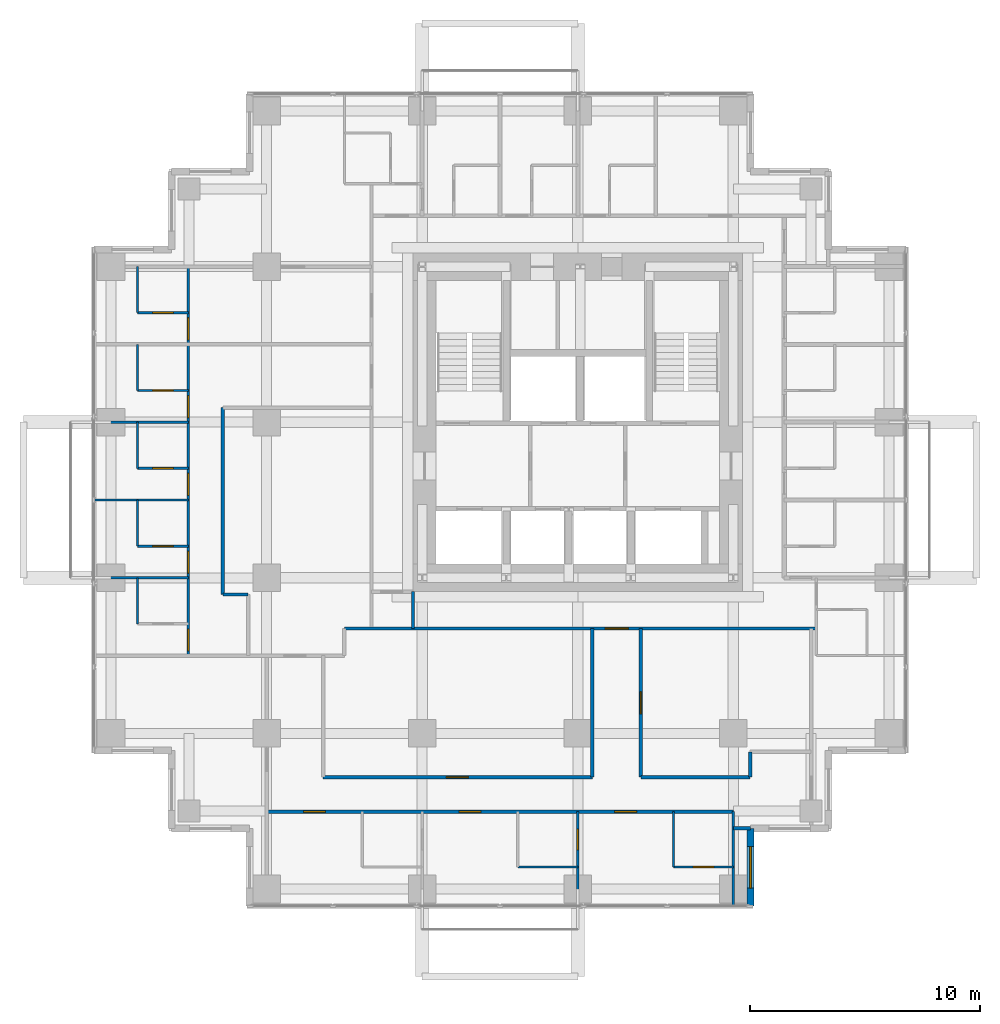
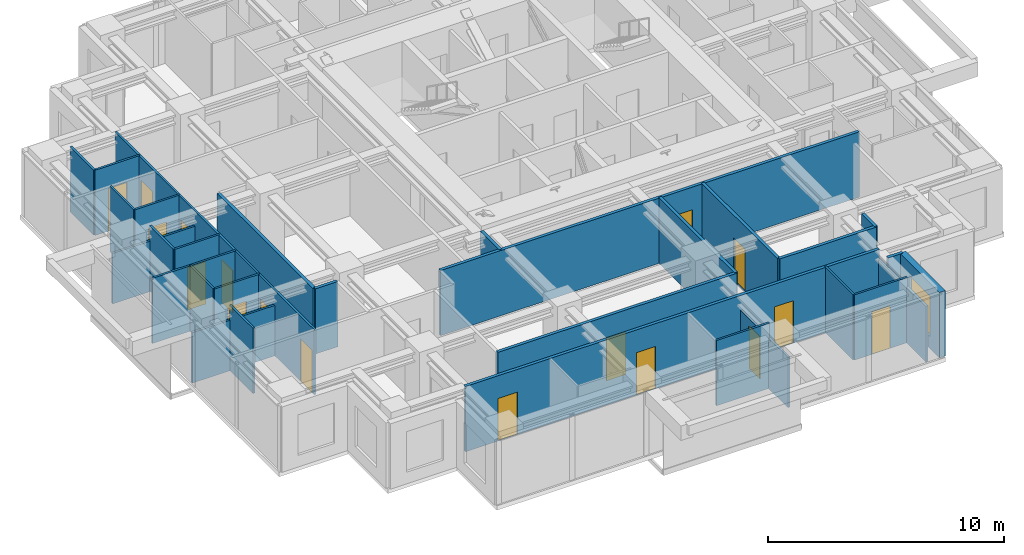
# One storey, part 6 of 10: 30 walls, 17 doors, 1 window, 18 openings.
"""IFC4 building model written with IfcOpenShell, lengths in metres."""

from ifc_helpers import new_model, si_unit, direction, frame, frame_2d, origin, place, context, subcontext, project, spatial, rectangle, extrude, material, layer, layer_set, type_object, element, fill, save


model = new_model("IFC4")

# Units and contexts
model_context = context("Model", 3, precision=1e-05, world=origin(), true_north=direction((0.0, 1.0)))
body_context = subcontext(model_context, "Body", "Model", "MODEL_VIEW")
ifc_project = project(units=[si_unit("LENGTHUNIT", "METRE"), si_unit("AREAUNIT", "SQUARE_METRE"), si_unit("VOLUMEUNIT", "CUBIC_METRE"), si_unit("PLANEANGLEUNIT", "RADIAN"), si_unit("MASSUNIT", "GRAM", prefix="KILO")], contexts=[model_context])

# Site, building, storey
site_placement = place(None, origin())
site = spatial("IfcSite", under=ifc_project, at=site_placement, CompositionType="ELEMENT")
building_placement = place(site_placement, origin())
building = spatial("IfcBuilding", under=site, at=building_placement, Name="Nyansa Garden Tower", CompositionType="ELEMENT")
storey_placement = place(building_placement, frame((0.0, 0.0, 181.800048828125)))
storey = spatial("IfcBuildingStorey", under=building, at=storey_placement, Name="L49", CompositionType="ELEMENT", Elevation=181.800048828125)

# Walls
ifc_material_1 = material(Name="Blockwork, plastered both sides", Category="masonry")
ifc_layer_1 = layer(ifc_material_1, 0.14990234375)
ifc_layer_set_1 = layer_set([ifc_layer_1], Name="Partition PW150")
wall_type_1 = type_object("IfcWallType", Name="Partition PW150", PredefinedType="PARTITIONING", material=ifc_layer_set_1)
wall_1_placement = place(storey_placement, frame((4.85009765625, 12.77490234375, 0.0), z_axis=(0.0, 0.0, 1.0), x_axis=(0.0, 1.0, 0.0)))
element("IfcWall", 1, at=wall_1_placement, inside=storey, type_object=wall_type_1, Name="Partition", PredefinedType="PARTITIONING", context=body_context, shape_type="SweptSolid", body=[
    extrude(rectangle(XDim=8.112548828125, YDim=0.14990234375, at=frame_2d((4.05615234375, 0.0))), origin(), (0.0, 0.0, 1.0), 3.375),
])
wall_2_placement = place(storey_placement, frame((4.85009765625, 12.77490234375, 0.0), z_axis=(0.0, 0.0, 1.0), x_axis=(1.0, 0.0, 0.0)))
element("IfcWall", 2, at=wall_2_placement, inside=storey, type_object=wall_type_1, Name="Partition", PredefinedType="PARTITIONING", context=body_context, shape_type="SweptSolid", body=[
    extrude(rectangle(XDim=1.099853515625, YDim=0.14990234375, at=frame_2d((0.5498046875, 0.0))), origin(), (0.0, 0.0, 1.0), 3.375),
])

# Wall, openings, doors
wall_3_placement = place(storey_placement, frame((6.75, 3.35009765625, 0.0), z_axis=(0.0, 0.0, 1.0), x_axis=(1.0, 0.0, 0.0)))
wall_3 = element("IfcWall", 3, at=wall_3_placement, inside=storey, type_object=wall_type_1, Name="Partition", PredefinedType="PARTITIONING", context=body_context, shape_type="SweptSolid", body=[
    extrude(rectangle(XDim=20.25, YDim=0.14990234375, at=frame_2d((10.125, 0.0))), origin(), (0.0, 0.0, 1.0), 3.375),
])
opening_1_placement = place(wall_3_placement, frame((15.10009765625, 0.0, 0.0)))
opening_1 = element("IfcOpeningElement", 4, at=opening_1_placement, cuts=wall_3, Name="Opening D14", PredefinedType="OPENING", context=body_context, shape_type="SweptSolid", body=[
    extrude(rectangle(XDim=0.949951171875, YDim=2.199951171875, at=frame_2d((0.47509765625, 1.10009765625))), frame((0.0, 0.0849609375, 0.0), z_axis=(0.0, -1.0, 0.0), x_axis=(1.0, 0.0, 0.0)), (0.0, 0.0, 1.0), 0.169921875),
])
opening_2_placement = place(wall_3_placement, frame((8.35009765625, 0.0, 0.0)))
opening_2 = element("IfcOpeningElement", 5, at=opening_2_placement, cuts=wall_3, Name="Opening D14", PredefinedType="OPENING", context=body_context, shape_type="SweptSolid", body=[
    extrude(rectangle(XDim=0.949951171875, YDim=2.199951171875, at=frame_2d((0.47509765625, 1.10009765625))), frame((0.0, 0.0849609375, 0.0), z_axis=(0.0, -1.0, 0.0), x_axis=(1.0, 0.0, 0.0)), (0.0, 0.0, 1.0), 0.169921875),
])
opening_3_placement = place(wall_3_placement, frame((1.60009765625, 0.0, 0.0)))
opening_3 = element("IfcOpeningElement", 6, at=opening_3_placement, cuts=wall_3, Name="Opening D14", PredefinedType="OPENING", context=body_context, shape_type="SweptSolid", body=[
    extrude(rectangle(XDim=0.949951171875, YDim=2.199951171875, at=frame_2d((0.47509765625, 1.10009765625))), frame((0.0, 0.0849609375, 0.0), z_axis=(0.0, -1.0, 0.0), x_axis=(1.0, 0.0, 0.0)), (0.0, 0.0, 1.0), 0.169921875),
])
ifc_material_2 = material(Name="Timber flush door, 60 minute fire resisting, self-closing", Category="wood")
door_type_1 = type_object("IfcDoorType", Name="Studio entrance door D14 950x2200", OperationType="SINGLE_SWING_LEFT", PredefinedType="DOOR", material=ifc_material_2)
door_1_placement = place(opening_1_placement, origin())
door_1 = element("IfcDoor", 7, at=door_1_placement, inside=storey, type_object=door_type_1, Name="Door L49-018", OperationType="SINGLE_SWING_LEFT", OverallHeight=2.199951171875, OverallWidth=0.949951171875, PredefinedType="DOOR", context=body_context, shape_type="SweptSolid", body=[
    extrude(rectangle(XDim=0.949951171875, YDim=2.199951171875, at=frame_2d((0.47509765625, 1.10009765625))), frame((0.0, 0.02490234375, 0.0), z_axis=(0.0, -1.0, 0.0), x_axis=(1.0, 0.0, 0.0)), (0.0, 0.0, 1.0), 0.050048828125),
])
fill(opening_1, door_1)
door_2_placement = place(opening_2_placement, origin())
door_2 = element("IfcDoor", 8, at=door_2_placement, inside=storey, type_object=door_type_1, Name="Door L49-020", OperationType="SINGLE_SWING_LEFT", OverallHeight=2.199951171875, OverallWidth=0.949951171875, PredefinedType="DOOR", context=body_context, shape_type="SweptSolid", body=[
    extrude(rectangle(XDim=0.949951171875, YDim=2.199951171875, at=frame_2d((0.47509765625, 1.10009765625))), frame((0.0, 0.02490234375, 0.0), z_axis=(0.0, -1.0, 0.0), x_axis=(1.0, 0.0, 0.0)), (0.0, 0.0, 1.0), 0.050048828125),
])
fill(opening_2, door_2)
door_3_placement = place(opening_3_placement, origin())
door_3 = element("IfcDoor", 9, at=door_3_placement, inside=storey, type_object=door_type_1, Name="Door L49-022", OperationType="SINGLE_SWING_LEFT", OverallHeight=2.199951171875, OverallWidth=0.949951171875, PredefinedType="DOOR", context=body_context, shape_type="SweptSolid", body=[
    extrude(rectangle(XDim=0.949951171875, YDim=2.199951171875, at=frame_2d((0.47509765625, 1.10009765625))), frame((0.0, 0.02490234375, 0.0), z_axis=(0.0, -1.0, 0.0), x_axis=(1.0, 0.0, 0.0)), (0.0, 0.0, 1.0), 0.050048828125),
])
fill(opening_3, door_3)

# Wall, opening, door
wall_4_placement = place(storey_placement, frame((9.199951171875, 4.85009765625, 0.0), z_axis=(0.0, 0.0, 1.0), x_axis=(1.0, 0.0, 0.0)))
wall_4 = element("IfcWall", 10, at=wall_4_placement, inside=storey, type_object=wall_type_1, Name="Partition", PredefinedType="PARTITIONING", context=body_context, shape_type="SweptSolid", body=[
    extrude(rectangle(XDim=11.6875, YDim=0.14990234375, at=frame_2d((5.84375, 0.0))), origin(), (0.0, 0.0, 1.0), 3.375),
])
opening_4_placement = place(wall_4_placement, frame((5.35009765625, 0.0, 0.0)))
opening_4 = element("IfcOpeningElement", 11, at=opening_4_placement, cuts=wall_4, Name="Opening D01", PredefinedType="OPENING", context=body_context, shape_type="SweptSolid", body=[
    extrude(rectangle(XDim=0.949951171875, YDim=2.199951171875, at=frame_2d((0.47509765625, 1.10009765625))), frame((0.0, 0.0849609375, 0.0), z_axis=(0.0, -1.0, 0.0), x_axis=(1.0, 0.0, 0.0)), (0.0, 0.0, 1.0), 0.169921875),
])
ifc_material_3 = material(Name="Timber flush door, 30 minute fire resisting", Category="wood")
door_type_2 = type_object("IfcDoorType", Name="Bedroom door D01 950x2200", OperationType="SINGLE_SWING_LEFT", PredefinedType="DOOR", material=ifc_material_3)
door_4_placement = place(opening_4_placement, origin())
door_4 = element("IfcDoor", 12, at=door_4_placement, inside=storey, type_object=door_type_2, Name="Door L49-025", OperationType="SINGLE_SWING_LEFT", OverallHeight=2.199951171875, OverallWidth=0.949951171875, PredefinedType="DOOR", context=body_context, shape_type="SweptSolid", body=[
    extrude(rectangle(XDim=0.949951171875, YDim=2.199951171875, at=frame_2d((0.47509765625, 1.10009765625))), frame((0.0, 0.02490234375, 0.0), z_axis=(0.0, -1.0, 0.0), x_axis=(1.0, 0.0, 0.0)), (0.0, 0.0, 1.0), 0.050048828125),
])
fill(opening_4, door_4)

wall_5_placement = place(storey_placement, frame((10.125, 11.300048828125, 0.0), z_axis=(0.0, 0.0, 1.0), x_axis=(1.0, 0.0, 0.0)))
wall_5 = element("IfcWall", 13, at=wall_5_placement, inside=storey, type_object=wall_type_1, Name="Partition", PredefinedType="PARTITIONING", context=body_context, shape_type="SweptSolid", body=[
    extrude(rectangle(XDim=20.47509765625, YDim=0.14990234375, at=frame_2d((10.237548828125, 0.0))), origin(), (0.0, 0.0, 1.0), 3.375),
])
opening_5_placement = place(wall_5_placement, frame((11.3125, 0.0, 0.0)))
opening_5 = element("IfcOpeningElement", 14, at=opening_5_placement, cuts=wall_5, Name="Opening D03", PredefinedType="OPENING", context=body_context, shape_type="SweptSolid", body=[
    extrude(rectangle(XDim=1.0, YDim=2.199951171875, at=frame_2d((0.5, 1.10009765625))), frame((0.0, 0.0849609375, 0.0), z_axis=(0.0, -1.0, 0.0), x_axis=(1.0, 0.0, 0.0)), (0.0, 0.0, 1.0), 0.169921875),
])
ifc_material_4 = material(Name="Timber flush door, 60 minute fire resisting", Category="wood")
door_type_3 = type_object("IfcDoorType", Name="Cluster entrance door D03 1000x2200", OperationType="SINGLE_SWING_LEFT", PredefinedType="DOOR", material=ifc_material_4)
door_5_placement = place(opening_5_placement, origin())
door_5 = element("IfcDoor", 15, at=door_5_placement, inside=storey, type_object=door_type_3, Name="Door L49-024", OperationType="SINGLE_SWING_LEFT", OverallHeight=2.199951171875, OverallWidth=1.0, PredefinedType="DOOR", context=body_context, shape_type="SweptSolid", body=[
    extrude(rectangle(XDim=1.0, YDim=2.199951171875, at=frame_2d((0.5, 1.10009765625))), frame((0.0, 0.02490234375, 0.0), z_axis=(0.0, -1.0, 0.0), x_axis=(1.0, 0.0, 0.0)), (0.0, 0.0, 1.0), 0.050048828125),
])
fill(opening_5, door_5)

# Walls
wall_6_placement = place(storey_placement, frame((13.10009765625, 11.300048828125, 0.0), z_axis=(0.0, 0.0, 1.0), x_axis=(0.0, 1.0, 0.0)))
element("IfcWall", 16, at=wall_6_placement, inside=storey, type_object=wall_type_1, Name="Partition", PredefinedType="PARTITIONING", context=body_context, shape_type="SweptSolid", body=[
    extrude(rectangle(XDim=1.599853515625, YDim=0.14990234375, at=frame_2d((0.7998046875, 0.0))), origin(), (0.0, 0.0, 1.0), 3.375),
])
wall_7_placement = place(storey_placement, frame((20.886962890625, 4.85009765625, 0.0), z_axis=(0.0, 0.0, 1.0), x_axis=(0.0, 1.0, 0.0)))
element("IfcWall", 17, at=wall_7_placement, inside=storey, type_object=wall_type_1, Name="Partition", PredefinedType="PARTITIONING", context=body_context, shape_type="SweptSolid", body=[
    extrude(rectangle(XDim=6.449951171875, YDim=0.14990234375, at=frame_2d((3.22509765625, 0.0))), origin(), (0.0, 0.0, 1.0), 3.375),
])
wall_8_placement = place(storey_placement, frame((22.987548828125, 4.85009765625, 0.0), z_axis=(0.0, 0.0, 1.0), x_axis=(1.0, 0.0, 0.0)))
element("IfcWall", 18, at=wall_8_placement, inside=storey, type_object=wall_type_1, Name="Partition", PredefinedType="PARTITIONING", context=body_context, shape_type="SweptSolid", body=[
    extrude(rectangle(XDim=4.737548828125, YDim=0.14990234375, at=frame_2d((2.36865234375, 0.0))), origin(), (0.0, 0.0, 1.0), 3.375),
])

# Wall, opening, door
wall_9_placement = place(storey_placement, frame((22.988037109375, 4.85009765625, 0.0), z_axis=(0.0, 0.0, 1.0), x_axis=(0.0, 1.0, 0.0)))
wall_9 = element("IfcWall", 19, at=wall_9_placement, inside=storey, type_object=wall_type_1, Name="Partition", PredefinedType="PARTITIONING", context=body_context, shape_type="SweptSolid", body=[
    extrude(rectangle(XDim=6.449951171875, YDim=0.14990234375, at=frame_2d((3.22509765625, 0.0))), origin(), (0.0, 0.0, 1.0), 3.375),
])
opening_6_placement = place(wall_9_placement, frame((2.75, 0.0, 0.0)))
opening_6 = element("IfcOpeningElement", 20, at=opening_6_placement, cuts=wall_9, Name="Opening D01", PredefinedType="OPENING", context=body_context, shape_type="SweptSolid", body=[
    extrude(rectangle(XDim=0.949951171875, YDim=2.199951171875, at=frame_2d((0.47509765625, 1.10009765625))), frame((0.0, 0.0849609375, 0.0), z_axis=(0.0, -1.0, 0.0), x_axis=(1.0, 0.0, 0.0)), (0.0, 0.0, 1.0), 0.169921875),
])
door_6_placement = place(opening_6_placement, origin())
door_6 = element("IfcDoor", 21, at=door_6_placement, inside=storey, type_object=door_type_2, Name="Door L49-026", OperationType="SINGLE_SWING_LEFT", OverallHeight=2.199951171875, OverallWidth=0.949951171875, PredefinedType="DOOR", context=body_context, shape_type="SweptSolid", body=[
    extrude(rectangle(XDim=0.949951171875, YDim=2.199951171875, at=frame_2d((0.47509765625, 1.10009765625))), frame((0.0, 0.02490234375, 0.0), z_axis=(0.0, -1.0, 0.0), x_axis=(1.0, 0.0, 0.0)), (0.0, 0.0, 1.0), 0.050048828125),
])
fill(opening_6, door_6)

# Walls
wall_10_placement = place(storey_placement, frame((27.0, 2.625, 0.0), z_axis=(0.0, 0.0, 1.0), x_axis=(1.0, 0.0, 0.0)))
element("IfcWall", 22, at=wall_10_placement, inside=storey, type_object=wall_type_1, Name="Partition", PredefinedType="PARTITIONING", context=body_context, shape_type="SweptSolid", body=[
    extrude(rectangle(XDim=0.73388671875, YDim=0.14990234375, at=frame_2d((0.366943359375, 0.0))), origin(), (0.0, 0.0, 1.0), 3.375),
])
wall_11_placement = place(storey_placement, frame((27.72509765625, 4.85009765625, 0.0), z_axis=(0.0, 0.0, 1.0), x_axis=(0.0, 1.0, 0.0)))
element("IfcWall", 23, at=wall_11_placement, inside=storey, type_object=wall_type_1, Name="Partition", PredefinedType="PARTITIONING", context=body_context, shape_type="SweptSolid", body=[
    extrude(rectangle(XDim=1.099853515625, YDim=0.14990234375, at=frame_2d((0.5498046875, 0.0))), origin(), (0.0, 0.0, 1.0), 3.375),
])

# Wall, opening, window
ifc_material_5 = material(Name="Turquoise glazed tile on concrete blockwork", Category="masonry")
ifc_layer_2 = layer(ifc_material_5, 0.300048828125)
ifc_layer_set_2 = layer_set([ifc_layer_2], Name="Tiled corner wall TW300")
wall_type_2 = type_object("IfcWallType", Name="Tiled corner wall TW300", PredefinedType="SOLIDWALL", material=ifc_layer_set_2)
wall_12_placement = place(storey_placement, frame((27.75, -0.75, 0.0), z_axis=(0.0, 0.0, 1.0), x_axis=(0.0, 1.0, 0.0)))
wall_12 = element("IfcWall", 24, at=wall_12_placement, inside=storey, type_object=wall_type_2, Name="Tiled corner wall L49", PredefinedType="SOLIDWALL", context=body_context, shape_type="SweptSolid", body=[
    extrude(rectangle(XDim=3.375, YDim=0.300048828125, at=frame_2d((1.6875, 0.0))), origin(), (0.0, 0.0, 1.0), 3.375),
])
opening_7_placement = place(wall_12_placement, frame((0.78759765625, 0.0, 0.60009765625)))
opening_7 = element("IfcOpeningElement", 25, at=opening_7_placement, cuts=wall_12, Name="Opening W2", PredefinedType="OPENING", context=body_context, shape_type="SweptSolid", body=[
    extrude(rectangle(XDim=1.800048828125, YDim=2.10009765625, at=frame_2d((0.89990234375, 1.050048828125))), frame((0.0, 0.159912109375, 0.0), z_axis=(0.0, -1.0, 0.0), x_axis=(1.0, 0.0, 0.0)), (0.0, 0.0, 1.0), 0.320068359375),
])
ifc_material_6 = material(Name="Black aluminium frame, dark tinted double glazing", Category="aluminium")
window_type = type_object("IfcWindowType", Name="Window W2 1800x2100", PartitioningType="SINGLE_PANEL", PredefinedType="WINDOW", material=ifc_material_6)
window_placement = place(opening_7_placement, origin())
window = element("IfcWindow", 26, at=window_placement, inside=storey, type_object=window_type, Name="Corner window L49", OverallHeight=2.10009765625, OverallWidth=1.800048828125, PartitioningType="SINGLE_PANEL", PredefinedType="WINDOW", context=body_context, shape_type="SweptSolid", body=[
    extrude(rectangle(XDim=1.800048828125, YDim=2.10009765625, at=frame_2d((0.89990234375, 1.050048828125))), frame((0.0, 0.030029296875, 0.0), z_axis=(0.0, -1.0, 0.0), x_axis=(1.0, 0.0, 0.0)), (0.0, 0.0, 1.0), 0.06005859375),
])
fill(opening_7, window)

# Walls
ifc_material_7 = material(Name="Moisture resistant board on steel studs, tiled", Category="steel")
ifc_layer_3 = layer(ifc_material_7, 0.10009765625)
ifc_layer_set_3 = layer_set([ifc_layer_3], Name="Wet wall PW100")
wall_type_3 = type_object("IfcWallType", Name="Wet wall PW100", PredefinedType="PARTITIONING", material=ifc_layer_set_3)
wall_13_placement = place(storey_placement, frame((-0.73388671875, 13.5, 0.0), z_axis=(0.0, 0.0, 1.0), x_axis=(1.0, 0.0, 0.0)))
element("IfcWall", 27, at=wall_13_placement, inside=storey, type_object=wall_type_3, Name="Wet wall", PredefinedType="PARTITIONING", context=body_context, shape_type="SweptSolid", body=[
    extrude(rectangle(XDim=4.083984375, YDim=0.10009765625, at=frame_2d((2.0419921875, 0.0))), origin(), (0.0, 0.0, 1.0), 2.60986328125),
])
wall_14_placement = place(storey_placement, frame((-0.73388671875, 16.875, 0.0), z_axis=(0.0, 0.0, 1.0), x_axis=(1.0, 0.0, 0.0)))
element("IfcWall", 28, at=wall_14_placement, inside=storey, type_object=wall_type_3, Name="Wet wall", PredefinedType="PARTITIONING", context=body_context, shape_type="SweptSolid", body=[
    extrude(rectangle(XDim=4.083984375, YDim=0.10009765625, at=frame_2d((2.0419921875, 0.0))), origin(), (0.0, 0.0, 1.0), 3.375),
])
wall_15_placement = place(storey_placement, frame((-0.73388671875, 20.25, 0.0), z_axis=(0.0, 0.0, 1.0), x_axis=(1.0, 0.0, 0.0)))
element("IfcWall", 29, at=wall_15_placement, inside=storey, type_object=wall_type_3, Name="Wet wall", PredefinedType="PARTITIONING", context=body_context, shape_type="SweptSolid", body=[
    extrude(rectangle(XDim=4.083984375, YDim=0.10009765625, at=frame_2d((2.0419921875, 0.0))), origin(), (0.0, 0.0, 1.0), 2.60986328125),
])
for number, where, z_axis, x_axis, name in (
    (30, (1.14990234375, 11.5, 0.0), (0.0, 0.0, 1.0), (0.0, 1.0, 0.0), "Wet wall"),
    (31, (1.14990234375, 14.875, 0.0), (0.0, 0.0, 1.0), (0.0, 1.0, 0.0), "Wet wall"),
):
    element("IfcWall", number, at=place(storey_placement, frame(where, z_axis=z_axis, x_axis=x_axis)), inside=storey, type_object=wall_type_3, Name=name, PredefinedType="PARTITIONING", context=body_context, shape_type="SweptSolid", body=[
        extrude(rectangle(XDim=2.0, YDim=0.10009765625, at=frame_2d((1.0, 0.0))), origin(), (0.0, 0.0, 1.0), 3.375),
    ])

# Wall, opening, door
wall_16_placement = place(storey_placement, frame((1.14990234375, 14.875, 0.0), z_axis=(0.0, 0.0, 1.0), x_axis=(1.0, 0.0, 0.0)))
wall_16 = element("IfcWall", 32, at=wall_16_placement, inside=storey, type_object=wall_type_3, Name="Wet wall", PredefinedType="PARTITIONING", context=body_context, shape_type="SweptSolid", body=[
    extrude(rectangle(XDim=2.2001953125, YDim=0.10009765625, at=frame_2d((1.10009765625, 0.0))), origin(), (0.0, 0.0, 1.0), 3.375),
])
opening_8_placement = place(wall_16_placement, frame((0.64990234375, 0.0, 0.0)))
opening_8 = element("IfcOpeningElement", 33, at=opening_8_placement, cuts=wall_16, Name="Opening D02", PredefinedType="OPENING", context=body_context, shape_type="SweptSolid", body=[
    extrude(rectangle(XDim=0.89990234375, YDim=2.199951171875, at=frame_2d((0.449951171875, 1.10009765625))), frame((0.0, 0.06005859375, 0.0), z_axis=(0.0, -1.0, 0.0), x_axis=(1.0, 0.0, 0.0)), (0.0, 0.0, 1.0), 0.1201171875),
])
ifc_material_8 = material(Name="Timber flush door", Category="wood")
door_type_4 = type_object("IfcDoorType", Name="En-suite door D02 900x2200", OperationType="SINGLE_SWING_RIGHT", PredefinedType="DOOR", material=ifc_material_8)
door_7_placement = place(opening_8_placement, origin())
door_7 = element("IfcDoor", 34, at=door_7_placement, inside=storey, type_object=door_type_4, Name="Door L49-056", OperationType="SINGLE_SWING_RIGHT", OverallHeight=2.199951171875, OverallWidth=0.89990234375, PredefinedType="DOOR", context=body_context, shape_type="SweptSolid", body=[
    extrude(rectangle(XDim=0.89990234375, YDim=2.199951171875, at=frame_2d((0.449951171875, 1.10009765625))), frame((0.0, 0.02490234375, 0.0), z_axis=(0.0, -1.0, 0.0), x_axis=(1.0, 0.0, 0.0)), (0.0, 0.0, 1.0), 0.050048828125),
])
fill(opening_8, door_7)

# Wall
wall_17_placement = place(storey_placement, frame((1.14990234375, 18.25, 0.0), z_axis=(0.0, 0.0, 1.0), x_axis=(0.0, 1.0, 0.0)))
element("IfcWall", 35, at=wall_17_placement, inside=storey, type_object=wall_type_3, Name="Wet wall", PredefinedType="PARTITIONING", context=body_context, shape_type="SweptSolid", body=[
    extrude(rectangle(XDim=2.0, YDim=0.10009765625, at=frame_2d((1.0, 0.0))), origin(), (0.0, 0.0, 1.0), 3.375),
])

# Wall, opening, door
wall_18_placement = place(storey_placement, frame((1.14990234375, 18.25, 0.0), z_axis=(0.0, 0.0, 1.0), x_axis=(1.0, 0.0, 0.0)))
wall_18 = element("IfcWall", 36, at=wall_18_placement, inside=storey, type_object=wall_type_3, Name="Wet wall", PredefinedType="PARTITIONING", context=body_context, shape_type="SweptSolid", body=[
    extrude(rectangle(XDim=2.2001953125, YDim=0.10009765625, at=frame_2d((1.10009765625, 0.0))), origin(), (0.0, 0.0, 1.0), 3.375),
])
opening_9_placement = place(wall_18_placement, frame((0.64990234375, 0.0, 0.0)))
opening_9 = element("IfcOpeningElement", 37, at=opening_9_placement, cuts=wall_18, Name="Opening D02", PredefinedType="OPENING", context=body_context, shape_type="SweptSolid", body=[
    extrude(rectangle(XDim=0.89990234375, YDim=2.199951171875, at=frame_2d((0.449951171875, 1.10009765625))), frame((0.0, 0.06005859375, 0.0), z_axis=(0.0, -1.0, 0.0), x_axis=(1.0, 0.0, 0.0)), (0.0, 0.0, 1.0), 0.1201171875),
])
door_8_placement = place(opening_9_placement, origin())
door_8 = element("IfcDoor", 38, at=door_8_placement, inside=storey, type_object=door_type_4, Name="Door L49-058", OperationType="SINGLE_SWING_RIGHT", OverallHeight=2.199951171875, OverallWidth=0.89990234375, PredefinedType="DOOR", context=body_context, shape_type="SweptSolid", body=[
    extrude(rectangle(XDim=0.89990234375, YDim=2.199951171875, at=frame_2d((0.449951171875, 1.10009765625))), frame((0.0, 0.02490234375, 0.0), z_axis=(0.0, -1.0, 0.0), x_axis=(1.0, 0.0, 0.0)), (0.0, 0.0, 1.0), 0.050048828125),
])
fill(opening_9, door_8)

# Wall
wall_19_placement = place(storey_placement, frame((1.14990234375, 21.625, 0.0), z_axis=(0.0, 0.0, 1.0), x_axis=(0.0, 1.0, 0.0)))
element("IfcWall", 39, at=wall_19_placement, inside=storey, type_object=wall_type_3, Name="Wet wall", PredefinedType="PARTITIONING", context=body_context, shape_type="SweptSolid", body=[
    extrude(rectangle(XDim=2.0, YDim=0.10009765625, at=frame_2d((1.0, 0.0))), origin(), (0.0, 0.0, 1.0), 3.375),
])

# Wall, opening, door
wall_20_placement = place(storey_placement, frame((1.14990234375, 21.625, 0.0), z_axis=(0.0, 0.0, 1.0), x_axis=(1.0, 0.0, 0.0)))
wall_20 = element("IfcWall", 40, at=wall_20_placement, inside=storey, type_object=wall_type_3, Name="Wet wall", PredefinedType="PARTITIONING", context=body_context, shape_type="SweptSolid", body=[
    extrude(rectangle(XDim=2.2001953125, YDim=0.10009765625, at=frame_2d((1.10009765625, 0.0))), origin(), (0.0, 0.0, 1.0), 3.375),
])
opening_10_placement = place(wall_20_placement, frame((0.64990234375, 0.0, 0.0)))
opening_10 = element("IfcOpeningElement", 41, at=opening_10_placement, cuts=wall_20, Name="Opening D02", PredefinedType="OPENING", context=body_context, shape_type="SweptSolid", body=[
    extrude(rectangle(XDim=0.89990234375, YDim=2.199951171875, at=frame_2d((0.449951171875, 1.10009765625))), frame((0.0, 0.06005859375, 0.0), z_axis=(0.0, -1.0, 0.0), x_axis=(1.0, 0.0, 0.0)), (0.0, 0.0, 1.0), 0.1201171875),
])
door_9_placement = place(opening_10_placement, origin())
door_9 = element("IfcDoor", 42, at=door_9_placement, inside=storey, type_object=door_type_4, Name="Door L49-060", OperationType="SINGLE_SWING_RIGHT", OverallHeight=2.199951171875, OverallWidth=0.89990234375, PredefinedType="DOOR", context=body_context, shape_type="SweptSolid", body=[
    extrude(rectangle(XDim=0.89990234375, YDim=2.199951171875, at=frame_2d((0.449951171875, 1.10009765625))), frame((0.0, 0.02490234375, 0.0), z_axis=(0.0, -1.0, 0.0), x_axis=(1.0, 0.0, 0.0)), (0.0, 0.0, 1.0), 0.050048828125),
])
fill(opening_10, door_9)

# Wall
wall_21_placement = place(storey_placement, frame((1.14990234375, 25.0, 0.0), z_axis=(0.0, 0.0, 1.0), x_axis=(0.0, 1.0, 0.0)))
element("IfcWall", 43, at=wall_21_placement, inside=storey, type_object=wall_type_3, Name="Wet wall", PredefinedType="PARTITIONING", context=body_context, shape_type="SweptSolid", body=[
    extrude(rectangle(XDim=2.0, YDim=0.10009765625, at=frame_2d((1.0, 0.0))), origin(), (0.0, 0.0, 1.0), 3.375),
])

# Wall, opening, door
wall_22_placement = place(storey_placement, frame((1.14990234375, 25.0, 0.0), z_axis=(0.0, 0.0, 1.0), x_axis=(1.0, 0.0, 0.0)))
wall_22 = element("IfcWall", 44, at=wall_22_placement, inside=storey, type_object=wall_type_3, Name="Wet wall", PredefinedType="PARTITIONING", context=body_context, shape_type="SweptSolid", body=[
    extrude(rectangle(XDim=2.2001953125, YDim=0.10009765625, at=frame_2d((1.10009765625, 0.0))), origin(), (0.0, 0.0, 1.0), 3.375),
])
opening_11_placement = place(wall_22_placement, frame((0.64990234375, 0.0, 0.0)))
opening_11 = element("IfcOpeningElement", 45, at=opening_11_placement, cuts=wall_22, Name="Opening D02", PredefinedType="OPENING", context=body_context, shape_type="SweptSolid", body=[
    extrude(rectangle(XDim=0.89990234375, YDim=2.199951171875, at=frame_2d((0.449951171875, 1.10009765625))), frame((0.0, 0.06005859375, 0.0), z_axis=(0.0, -1.0, 0.0), x_axis=(1.0, 0.0, 0.0)), (0.0, 0.0, 1.0), 0.1201171875),
])
door_10_placement = place(opening_11_placement, origin())
door_10 = element("IfcDoor", 46, at=door_10_placement, inside=storey, type_object=door_type_4, Name="Door L49-051", OperationType="SINGLE_SWING_RIGHT", OverallHeight=2.199951171875, OverallWidth=0.89990234375, PredefinedType="DOOR", context=body_context, shape_type="SweptSolid", body=[
    extrude(rectangle(XDim=0.89990234375, YDim=2.199951171875, at=frame_2d((0.449951171875, 1.10009765625))), frame((0.0, 0.02490234375, 0.0), z_axis=(0.0, -1.0, 0.0), x_axis=(1.0, 0.0, 0.0)), (0.0, 0.0, 1.0), 0.050048828125),
])
fill(opening_11, door_10)

# Wall, openings, doors
wall_23_placement = place(storey_placement, frame((3.35009765625, 10.125, 0.0), z_axis=(0.0, 0.0, 1.0), x_axis=(0.0, 1.0, 0.0)))
wall_23 = element("IfcWall", 47, at=wall_23_placement, inside=storey, type_object=wall_type_3, Name="Wet wall", PredefinedType="PARTITIONING", context=body_context, shape_type="SweptSolid", body=[
    extrude(rectangle(XDim=16.875, YDim=0.10009765625, at=frame_2d((8.4375, 0.0))), origin(), (0.0, 0.0, 1.0), 3.375),
])
opening_12_placement = place(wall_23_placement, frame((13.699951171875, 0.0, 0.0)))
opening_12 = element("IfcOpeningElement", 48, at=opening_12_placement, cuts=wall_23, Name="Opening D01", PredefinedType="OPENING", context=body_context, shape_type="SweptSolid", body=[
    extrude(rectangle(XDim=0.949951171875, YDim=2.199951171875, at=frame_2d((0.47509765625, 1.10009765625))), frame((0.0, 0.06005859375, 0.0), z_axis=(0.0, -1.0, 0.0), x_axis=(1.0, 0.0, 0.0)), (0.0, 0.0, 1.0), 0.1201171875),
])
opening_13_placement = place(wall_23_placement, frame((0.199951171875, 0.0, 0.0)))
opening_13 = element("IfcOpeningElement", 49, at=opening_13_placement, cuts=wall_23, Name="Opening D14", PredefinedType="OPENING", context=body_context, shape_type="SweptSolid", body=[
    extrude(rectangle(XDim=0.949951171875, YDim=2.199951171875, at=frame_2d((0.47509765625, 1.10009765625))), frame((0.0, 0.06005859375, 0.0), z_axis=(0.0, -1.0, 0.0), x_axis=(1.0, 0.0, 0.0)), (0.0, 0.0, 1.0), 0.1201171875),
])
opening_14_placement = place(wall_23_placement, frame((3.574951171875, 0.0, 0.0)))
opening_14 = element("IfcOpeningElement", 50, at=opening_14_placement, cuts=wall_23, Name="Opening D14", PredefinedType="OPENING", context=body_context, shape_type="SweptSolid", body=[
    extrude(rectangle(XDim=0.949951171875, YDim=2.199951171875, at=frame_2d((0.47509765625, 1.10009765625))), frame((0.0, 0.06005859375, 0.0), z_axis=(0.0, -1.0, 0.0), x_axis=(1.0, 0.0, 0.0)), (0.0, 0.0, 1.0), 0.1201171875),
])
opening_15_placement = place(wall_23_placement, frame((6.949951171875, 0.0, 0.0)))
opening_15 = element("IfcOpeningElement", 51, at=opening_15_placement, cuts=wall_23, Name="Opening D14", PredefinedType="OPENING", context=body_context, shape_type="SweptSolid", body=[
    extrude(rectangle(XDim=0.949951171875, YDim=2.199951171875, at=frame_2d((0.47509765625, 1.10009765625))), frame((0.0, 0.06005859375, 0.0), z_axis=(0.0, -1.0, 0.0), x_axis=(1.0, 0.0, 0.0)), (0.0, 0.0, 1.0), 0.1201171875),
])
opening_16_placement = place(wall_23_placement, frame((10.324951171875, 0.0, 0.0)))
opening_16 = element("IfcOpeningElement", 52, at=opening_16_placement, cuts=wall_23, Name="Opening D14", PredefinedType="OPENING", context=body_context, shape_type="SweptSolid", body=[
    extrude(rectangle(XDim=0.949951171875, YDim=2.199951171875, at=frame_2d((0.47509765625, 1.10009765625))), frame((0.0, 0.06005859375, 0.0), z_axis=(0.0, -1.0, 0.0), x_axis=(1.0, 0.0, 0.0)), (0.0, 0.0, 1.0), 0.1201171875),
])
door_11_placement = place(opening_12_placement, origin())
door_11 = element("IfcDoor", 53, at=door_11_placement, inside=storey, type_object=door_type_2, Name="Door L49-050", OperationType="SINGLE_SWING_LEFT", OverallHeight=2.199951171875, OverallWidth=0.949951171875, PredefinedType="DOOR", context=body_context, shape_type="SweptSolid", body=[
    extrude(rectangle(XDim=0.949951171875, YDim=2.199951171875, at=frame_2d((0.47509765625, 1.10009765625))), frame((0.0, 0.02490234375, 0.0), z_axis=(0.0, -1.0, 0.0), x_axis=(1.0, 0.0, 0.0)), (0.0, 0.0, 1.0), 0.050048828125),
])
fill(opening_12, door_11)
door_12_placement = place(opening_13_placement, origin())
door_12 = element("IfcDoor", 54, at=door_12_placement, inside=storey, type_object=door_type_1, Name="Door L49-053", OperationType="SINGLE_SWING_LEFT", OverallHeight=2.199951171875, OverallWidth=0.949951171875, PredefinedType="DOOR", context=body_context, shape_type="SweptSolid", body=[
    extrude(rectangle(XDim=0.949951171875, YDim=2.199951171875, at=frame_2d((0.47509765625, 1.10009765625))), frame((0.0, 0.02490234375, 0.0), z_axis=(0.0, -1.0, 0.0), x_axis=(1.0, 0.0, 0.0)), (0.0, 0.0, 1.0), 0.050048828125),
])
fill(opening_13, door_12)
door_13_placement = place(opening_14_placement, origin())
door_13 = element("IfcDoor", 55, at=door_13_placement, inside=storey, type_object=door_type_1, Name="Door L49-055", OperationType="SINGLE_SWING_LEFT", OverallHeight=2.199951171875, OverallWidth=0.949951171875, PredefinedType="DOOR", context=body_context, shape_type="SweptSolid", body=[
    extrude(rectangle(XDim=0.949951171875, YDim=2.199951171875, at=frame_2d((0.47509765625, 1.10009765625))), frame((0.0, 0.02490234375, 0.0), z_axis=(0.0, -1.0, 0.0), x_axis=(1.0, 0.0, 0.0)), (0.0, 0.0, 1.0), 0.050048828125),
])
fill(opening_14, door_13)
door_14_placement = place(opening_15_placement, origin())
door_14 = element("IfcDoor", 56, at=door_14_placement, inside=storey, type_object=door_type_1, Name="Door L49-057", OperationType="SINGLE_SWING_LEFT", OverallHeight=2.199951171875, OverallWidth=0.949951171875, PredefinedType="DOOR", context=body_context, shape_type="SweptSolid", body=[
    extrude(rectangle(XDim=0.949951171875, YDim=2.199951171875, at=frame_2d((0.47509765625, 1.10009765625))), frame((0.0, 0.02490234375, 0.0), z_axis=(0.0, -1.0, 0.0), x_axis=(1.0, 0.0, 0.0)), (0.0, 0.0, 1.0), 0.050048828125),
])
fill(opening_15, door_14)
door_15_placement = place(opening_16_placement, origin())
door_15 = element("IfcDoor", 57, at=door_15_placement, inside=storey, type_object=door_type_1, Name="Door L49-059", OperationType="SINGLE_SWING_LEFT", OverallHeight=2.199951171875, OverallWidth=0.949951171875, PredefinedType="DOOR", context=body_context, shape_type="SweptSolid", body=[
    extrude(rectangle(XDim=0.949951171875, YDim=2.199951171875, at=frame_2d((0.47509765625, 1.10009765625))), frame((0.0, 0.02490234375, 0.0), z_axis=(0.0, -1.0, 0.0), x_axis=(1.0, 0.0, 0.0)), (0.0, 0.0, 1.0), 0.050048828125),
])
fill(opening_16, door_15)

# Wall
wall_24_placement = place(storey_placement, frame((17.64990234375, 0.949951171875, 0.0), z_axis=(0.0, 0.0, 1.0), x_axis=(1.0, 0.0, 0.0)))
element("IfcWall", 58, at=wall_24_placement, inside=storey, type_object=wall_type_3, Name="Wet wall", PredefinedType="PARTITIONING", context=body_context, shape_type="SweptSolid", body=[
    extrude(rectangle(XDim=2.60009765625, YDim=0.10009765625, at=frame_2d((1.300048828125, 0.0))), origin(), (0.0, 0.0, 1.0), 3.375),
])

# Wall, opening, door
wall_25_placement = place(storey_placement, frame((20.25, -0.73388671875, 0.0), z_axis=(0.0, 0.0, 1.0), x_axis=(0.0, 1.0, 0.0)))
wall_25 = element("IfcWall", 59, at=wall_25_placement, inside=storey, type_object=wall_type_3, Name="Wet wall", PredefinedType="PARTITIONING", context=body_context, shape_type="SweptSolid", body=[
    extrude(rectangle(XDim=4.083984375, YDim=0.10009765625, at=frame_2d((2.0419921875, 0.0))), origin(), (0.0, 0.0, 1.0), 2.60986328125),
])
opening_17_placement = place(wall_25_placement, frame((2.43408203125, 0.0, 0.0)))
opening_17 = element("IfcOpeningElement", 60, at=opening_17_placement, cuts=wall_25, Name="Opening D02", PredefinedType="OPENING", context=body_context, shape_type="SweptSolid", body=[
    extrude(rectangle(XDim=0.89990234375, YDim=2.199951171875, at=frame_2d((0.449951171875, 1.10009765625))), frame((0.0, 0.06005859375, 0.0), z_axis=(0.0, -1.0, 0.0), x_axis=(1.0, 0.0, 0.0)), (0.0, 0.0, 1.0), 0.1201171875),
])
door_16_placement = place(opening_17_placement, origin())
door_16 = element("IfcDoor", 61, at=door_16_placement, inside=storey, type_object=door_type_4, Name="Door L49-021", OperationType="SINGLE_SWING_RIGHT", OverallHeight=2.199951171875, OverallWidth=0.89990234375, PredefinedType="DOOR", context=body_context, shape_type="SweptSolid", body=[
    extrude(rectangle(XDim=0.89990234375, YDim=2.199951171875, at=frame_2d((0.449951171875, 1.10009765625))), frame((0.0, 0.02490234375, 0.0), z_axis=(0.0, -1.0, 0.0), x_axis=(1.0, 0.0, 0.0)), (0.0, 0.0, 1.0), 0.050048828125),
])
fill(opening_17, door_16)

# Wall
wall_26_placement = place(storey_placement, frame((24.39990234375, 0.949951171875, 0.0), z_axis=(0.0, 0.0, 1.0), x_axis=(0.0, 1.0, 0.0)))
element("IfcWall", 62, at=wall_26_placement, inside=storey, type_object=wall_type_3, Name="Wet wall", PredefinedType="PARTITIONING", context=body_context, shape_type="SweptSolid", body=[
    extrude(rectangle(XDim=2.400146484375, YDim=0.10009765625, at=frame_2d((1.2001953125, 0.0))), origin(), (0.0, 0.0, 1.0), 3.375),
])

# Wall, opening, door
wall_27_placement = place(storey_placement, frame((24.39990234375, 0.949951171875, 0.0), z_axis=(0.0, 0.0, 1.0), x_axis=(1.0, 0.0, 0.0)))
wall_27 = element("IfcWall", 63, at=wall_27_placement, inside=storey, type_object=wall_type_3, Name="Wet wall", PredefinedType="PARTITIONING", context=body_context, shape_type="SweptSolid", body=[
    extrude(rectangle(XDim=2.60009765625, YDim=0.10009765625, at=frame_2d((1.300048828125, 0.0))), origin(), (0.0, 0.0, 1.0), 3.375),
])
opening_18_placement = place(wall_27_placement, frame((0.85009765625, 0.0, 0.0)))
opening_18 = element("IfcOpeningElement", 64, at=opening_18_placement, cuts=wall_27, Name="Opening D02", PredefinedType="OPENING", context=body_context, shape_type="SweptSolid", body=[
    extrude(rectangle(XDim=0.89990234375, YDim=2.199951171875, at=frame_2d((0.449951171875, 1.10009765625))), frame((0.0, 0.06005859375, 0.0), z_axis=(0.0, -1.0, 0.0), x_axis=(1.0, 0.0, 0.0)), (0.0, 0.0, 1.0), 0.1201171875),
])
door_17_placement = place(opening_18_placement, origin())
door_17 = element("IfcDoor", 65, at=door_17_placement, inside=storey, type_object=door_type_4, Name="Door L49-019", OperationType="SINGLE_SWING_RIGHT", OverallHeight=2.199951171875, OverallWidth=0.89990234375, PredefinedType="DOOR", context=body_context, shape_type="SweptSolid", body=[
    extrude(rectangle(XDim=0.89990234375, YDim=2.199951171875, at=frame_2d((0.449951171875, 1.10009765625))), frame((0.0, 0.02490234375, 0.0), z_axis=(0.0, -1.0, 0.0), x_axis=(1.0, 0.0, 0.0)), (0.0, 0.0, 1.0), 0.050048828125),
])
fill(opening_18, door_17)

# Wall
wall_28_placement = place(storey_placement, frame((27.0, -0.73388671875, 0.0), z_axis=(0.0, 0.0, 1.0), x_axis=(0.0, 1.0, 0.0)))
element("IfcWall", 66, at=wall_28_placement, inside=storey, type_object=wall_type_3, Name="Wet wall", PredefinedType="PARTITIONING", context=body_context, shape_type="SweptSolid", body=[
    extrude(rectangle(XDim=4.083984375, YDim=0.10009765625, at=frame_2d((2.0419921875, 0.0))), origin(), (0.0, 0.0, 1.0), 2.876953125),
])

save(model, "model.ifc")
